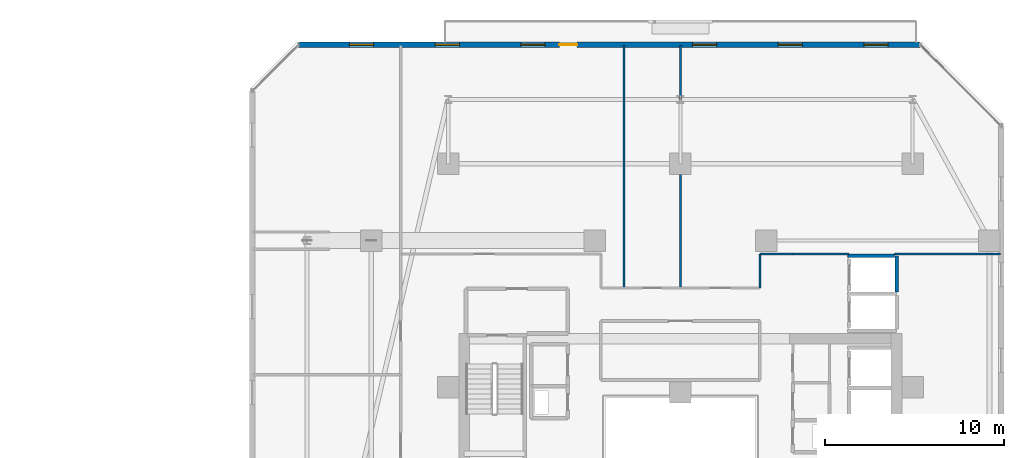
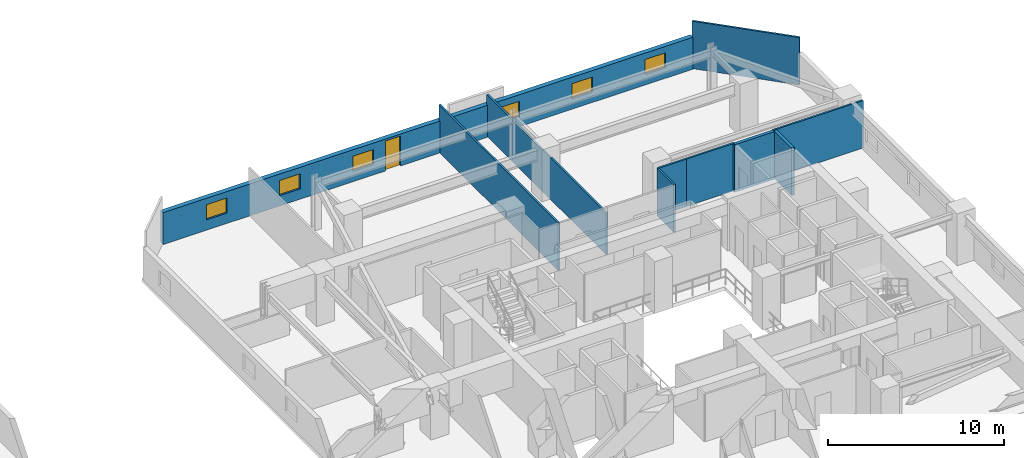
# One storey, part 29 of 36: 10 walls, 6 windows, 1 door, 7 openings.
"""IFC4 building model written with IfcOpenShell, lengths in metres."""

from ifc_helpers import new_model, si_unit, direction, frame, frame_2d, origin, place, context, subcontext, project, spatial, rectangle, extrude, material, layer, layer_set, type_object, element, fill, save


model = new_model("IFC4")

# Units and contexts
model_context = context("Model", 3, precision=1e-05, world=origin(), true_north=direction((0.0, 1.0)))
body_context = subcontext(model_context, "Body", "Model", "MODEL_VIEW")
ifc_project = project(units=[si_unit("LENGTHUNIT", "METRE"), si_unit("AREAUNIT", "SQUARE_METRE"), si_unit("VOLUMEUNIT", "CUBIC_METRE"), si_unit("PLANEANGLEUNIT", "RADIAN"), si_unit("MASSUNIT", "GRAM", prefix="KILO")], contexts=[model_context])

# Site, building, storey
site_placement = place(None, origin())
site = spatial("IfcSite", under=ifc_project, at=site_placement, CompositionType="ELEMENT")
building_placement = place(site_placement, origin())
building = spatial("IfcBuilding", under=site, at=building_placement, Name="Thornwick Lancets Civic Towers", CompositionType="ELEMENT")
storey_placement = place(building_placement, frame((0.0, 0.0, 94.5)))
storey = spatial("IfcBuildingStorey", under=building, at=storey_placement, Name="L24", CompositionType="ELEMENT", Elevation=94.5)

# Walls
ifc_material_1 = material(Name="Concrete blockwork C40/50", Category="masonry")
ifc_layer_1 = layer(ifc_material_1, 0.199951171875, Name="Concrete blockwork C40/50")
ifc_layer_set_1 = layer_set([ifc_layer_1], Name="Concrete blockwork C40/50")
wall_type_1 = type_object("IfcWallType", Name="WALL_COMP_200", PredefinedType="STANDARD", material=ifc_layer_set_1)
wall_1_placement = place(storey_placement, frame((100.60009765625, 37.132080078125, 0.0), z_axis=(0.0, 0.0, 1.0), x_axis=(0.0, 1.0, 0.0)))
element("IfcWall", 1, at=wall_1_placement, inside=storey, type_object=wall_type_1, Name="L24 Hoistway Shaft Wall PL-BL2 E", PredefinedType="STANDARD", context=body_context, shape_type="SweptSolid", body=[
    extrude(rectangle(XDim=2.015869140625, YDim=0.199951171875, at=frame_2d((1.0078125, 0.0))), origin(), (0.0, 0.0, 1.0), 3.300048828125),
])
wall_2_placement = place(storey_placement, frame((97.85205078125, 39.14990234375, 0.0), z_axis=(0.0, 0.0, 1.0), x_axis=(1.0, 0.0, 0.0)))
element("IfcWall", 2, at=wall_2_placement, inside=storey, type_object=wall_type_1, Name="L24 Hoistway Shaft Wall PL-BL3 N", PredefinedType="STANDARD", context=body_context, shape_type="SweptSolid", body=[
    extrude(rectangle(XDim=2.635986328125, YDim=0.199951171875, at=frame_2d((1.31787109375, 0.0))), origin(), (0.0, 0.0, 1.0), 3.300048828125),
])

# Wall, openings, door, windows
ifc_material_2 = material(Name="Insulated russet terracotta rainscreen on concrete C40/50", Category="masonry")
ifc_layer_2 = layer(ifc_material_2, 0.300048828125, Name="Insulated russet terracotta rainscreen on concrete C40/50")
ifc_layer_set_2 = layer_set([ifc_layer_2], Name="Insulated russet terracotta rainscreen on concrete C40/50")
wall_type_2 = type_object("IfcWallType", Name="WALL_EXT_RUSSET_300", PredefinedType="STANDARD", material=ifc_layer_set_2)
wall_3_placement = place(storey_placement, frame((101.925048828125, 50.958251953125, 0.0), z_axis=(0.0, 0.0, 1.0), x_axis=(-0.999999983371, 0.000182370391, 0.0)))
wall_3 = element("IfcWall", 3, at=wall_3_placement, inside=storey, type_object=wall_type_2, Name="L24 Tower B Terracotta Facade Wall E4", PredefinedType="STANDARD", context=body_context, shape_type="SweptSolid", body=[
    extrude(rectangle(XDim=34.806396484375, YDim=0.300048828125, at=frame_2d((17.4033203125, 0.0))), origin(), (0.0, 0.0, 1.0), 2.219970703125),
])
opening_1_placement = place(wall_3_placement, frame((19.203125, 0.0, 0.0)))
opening_1 = element("IfcOpeningElement", 4, at=opening_1_placement, cuts=wall_3, Name="Opening D-BL-L24-BN", PredefinedType="OPENING", context=body_context, shape_type="SweptSolid", body=[
    extrude(rectangle(XDim=1.0, YDim=2.080078125, at=frame_2d((0.5, 1.0400390625))), frame((0.0, 0.16015625, 0.0), z_axis=(0.0, -1.0, 0.0), x_axis=(1.0, 0.0, 0.0)), (0.0, 0.0, 1.0), 0.320068359375),
])
opening_2_placement = place(wall_3_placement, frame((1.800048828125, 0.0, 0.719970703125)))
opening_2 = element("IfcOpeningElement", 5, at=opening_2_placement, cuts=wall_3, Name="Opening WL-03", PredefinedType="OPENING", context=body_context, shape_type="SweptSolid", body=[
    extrude(rectangle(XDim=1.35009765625, YDim=1.050048828125, at=frame_2d((0.675048828125, 0.52490234375))), frame((0.0, 0.16015625, 0.0), z_axis=(0.0, -1.0, 0.0), x_axis=(1.0, 0.0, 0.0)), (0.0, 0.0, 1.0), 0.320068359375),
])
opening_3_placement = place(wall_3_placement, frame((6.60009765625, 0.0, 0.719970703125)))
opening_3 = element("IfcOpeningElement", 6, at=opening_3_placement, cuts=wall_3, Name="Opening WL-03", PredefinedType="OPENING", context=body_context, shape_type="SweptSolid", body=[
    extrude(rectangle(XDim=1.35009765625, YDim=1.050048828125, at=frame_2d((0.675048828125, 0.52490234375))), frame((0.0, 0.16015625, 0.0), z_axis=(0.0, -1.0, 0.0), x_axis=(1.0, 0.0, 0.0)), (0.0, 0.0, 1.0), 0.320068359375),
])
opening_4_placement = place(wall_3_placement, frame((11.39990234375, 0.0, 0.719970703125)))
opening_4 = element("IfcOpeningElement", 7, at=opening_4_placement, cuts=wall_3, Name="Opening WL-03", PredefinedType="OPENING", context=body_context, shape_type="SweptSolid", body=[
    extrude(rectangle(XDim=1.35009765625, YDim=1.050048828125, at=frame_2d((0.675048828125, 0.52490234375))), frame((0.0, 0.16015625, 0.0), z_axis=(0.0, -1.0, 0.0), x_axis=(1.0, 0.0, 0.0)), (0.0, 0.0, 1.0), 0.320068359375),
])
opening_5_placement = place(wall_3_placement, frame((21.0, 0.0, 0.719970703125)))
opening_5 = element("IfcOpeningElement", 8, at=opening_5_placement, cuts=wall_3, Name="Opening WL-03", PredefinedType="OPENING", context=body_context, shape_type="SweptSolid", body=[
    extrude(rectangle(XDim=1.35009765625, YDim=1.050048828125, at=frame_2d((0.675048828125, 0.52490234375))), frame((0.0, 0.16015625, 0.0), z_axis=(0.0, -1.0, 0.0), x_axis=(1.0, 0.0, 0.0)), (0.0, 0.0, 1.0), 0.320068359375),
])
opening_6_placement = place(wall_3_placement, frame((25.800048828125, 0.0, 0.719970703125)))
opening_6 = element("IfcOpeningElement", 9, at=opening_6_placement, cuts=wall_3, Name="Opening WL-03", PredefinedType="OPENING", context=body_context, shape_type="SweptSolid", body=[
    extrude(rectangle(XDim=1.35009765625, YDim=1.050048828125, at=frame_2d((0.675048828125, 0.52490234375))), frame((0.0, 0.16015625, 0.0), z_axis=(0.0, -1.0, 0.0), x_axis=(1.0, 0.0, 0.0)), (0.0, 0.0, 1.0), 0.320068359375),
])
opening_7_placement = place(wall_3_placement, frame((30.60009765625, 0.0, 0.719970703125)))
opening_7 = element("IfcOpeningElement", 10, at=opening_7_placement, cuts=wall_3, Name="Opening WL-03", PredefinedType="OPENING", context=body_context, shape_type="SweptSolid", body=[
    extrude(rectangle(XDim=1.35009765625, YDim=1.050048828125, at=frame_2d((0.675048828125, 0.52490234375))), frame((0.0, 0.16015625, 0.0), z_axis=(0.0, -1.0, 0.0), x_axis=(1.0, 0.0, 0.0)), (0.0, 0.0, 1.0), 0.320068359375),
])
ifc_material_3 = material(Name="Thermally broken glazed loggia doorset")
door_type = type_object("IfcDoorType", Name="DOOR_BALC_1000", OperationType="NOTDEFINED", PredefinedType="DOOR", material=ifc_material_3)
door_placement = place(opening_1_placement, origin())
door = element("IfcDoor", 11, at=door_placement, inside=storey, type_object=door_type, Name="L24 Tower B Loggia Balcony Door N", OperationType="SINGLE_SWING_LEFT", OverallHeight=2.080078125, OverallWidth=1.0, PredefinedType="DOOR", context=body_context, shape_type="SweptSolid", body=[
    extrude(rectangle(XDim=1.0, YDim=2.080078125, at=frame_2d((0.5, 1.0400390625))), frame((0.0, 0.02490234375, 0.0), z_axis=(0.0, -1.0, 0.0), x_axis=(1.0, 0.0, 0.0)), (0.0, 0.0, 1.0), 0.050048828125),
])
fill(opening_1, door)
ifc_material_4 = material(Name="Clear low-e double glazing clerestory lancet", Category="glass")
window_type = type_object("IfcWindowType", Name="WIN_LANCET_1350", PartitioningType="SINGLE_PANEL", PredefinedType="WINDOW", material=ifc_material_4)
window_1_placement = place(opening_2_placement, origin())
window_1 = element("IfcWindow", 12, at=window_1_placement, inside=storey, type_object=window_type, Name="L24 Tower B Staggered Lancet Window E4-1", OverallHeight=1.050048828125, OverallWidth=1.35009765625, PartitioningType="SINGLE_PANEL", PredefinedType="WINDOW", context=body_context, shape_type="SweptSolid", body=[
    extrude(rectangle(XDim=1.35009765625, YDim=1.050048828125, at=frame_2d((0.675048828125, 0.52490234375))), frame((0.0, 0.030029296875, 0.0), z_axis=(0.0, -1.0, 0.0), x_axis=(1.0, 0.0, 0.0)), (0.0, 0.0, 1.0), 0.06005859375),
])
fill(opening_2, window_1)
window_2_placement = place(opening_3_placement, origin())
window_2 = element("IfcWindow", 13, at=window_2_placement, inside=storey, type_object=window_type, Name="L24 Tower B Staggered Lancet Window E4-2", OverallHeight=1.050048828125, OverallWidth=1.35009765625, PartitioningType="SINGLE_PANEL", PredefinedType="WINDOW", context=body_context, shape_type="SweptSolid", body=[
    extrude(rectangle(XDim=1.35009765625, YDim=1.050048828125, at=frame_2d((0.675048828125, 0.52490234375))), frame((0.0, 0.030029296875, 0.0), z_axis=(0.0, -1.0, 0.0), x_axis=(1.0, 0.0, 0.0)), (0.0, 0.0, 1.0), 0.06005859375),
])
fill(opening_3, window_2)
window_3_placement = place(opening_4_placement, origin())
window_3 = element("IfcWindow", 14, at=window_3_placement, inside=storey, type_object=window_type, Name="L24 Tower B Staggered Lancet Window E4-3", OverallHeight=1.050048828125, OverallWidth=1.35009765625, PartitioningType="SINGLE_PANEL", PredefinedType="WINDOW", context=body_context, shape_type="SweptSolid", body=[
    extrude(rectangle(XDim=1.35009765625, YDim=1.050048828125, at=frame_2d((0.675048828125, 0.52490234375))), frame((0.0, 0.030029296875, 0.0), z_axis=(0.0, -1.0, 0.0), x_axis=(1.0, 0.0, 0.0)), (0.0, 0.0, 1.0), 0.06005859375),
])
fill(opening_4, window_3)
window_4_placement = place(opening_5_placement, origin())
window_4 = element("IfcWindow", 15, at=window_4_placement, inside=storey, type_object=window_type, Name="L24 Tower B Staggered Lancet Window E4-4", OverallHeight=1.050048828125, OverallWidth=1.35009765625, PartitioningType="SINGLE_PANEL", PredefinedType="WINDOW", context=body_context, shape_type="SweptSolid", body=[
    extrude(rectangle(XDim=1.35009765625, YDim=1.050048828125, at=frame_2d((0.675048828125, 0.52490234375))), frame((0.0, 0.030029296875, 0.0), z_axis=(0.0, -1.0, 0.0), x_axis=(1.0, 0.0, 0.0)), (0.0, 0.0, 1.0), 0.06005859375),
])
fill(opening_5, window_4)
window_5_placement = place(opening_6_placement, origin())
window_5 = element("IfcWindow", 16, at=window_5_placement, inside=storey, type_object=window_type, Name="L24 Tower B Staggered Lancet Window E4-5", OverallHeight=1.050048828125, OverallWidth=1.35009765625, PartitioningType="SINGLE_PANEL", PredefinedType="WINDOW", context=body_context, shape_type="SweptSolid", body=[
    extrude(rectangle(XDim=1.35009765625, YDim=1.050048828125, at=frame_2d((0.675048828125, 0.52490234375))), frame((0.0, 0.030029296875, 0.0), z_axis=(0.0, -1.0, 0.0), x_axis=(1.0, 0.0, 0.0)), (0.0, 0.0, 1.0), 0.06005859375),
])
fill(opening_6, window_5)
window_6_placement = place(opening_7_placement, origin())
window_6 = element("IfcWindow", 17, at=window_6_placement, inside=storey, type_object=window_type, Name="L24 Tower B Staggered Lancet Window E4-6", OverallHeight=1.050048828125, OverallWidth=1.35009765625, PartitioningType="SINGLE_PANEL", PredefinedType="WINDOW", context=body_context, shape_type="SweptSolid", body=[
    extrude(rectangle(XDim=1.35009765625, YDim=1.050048828125, at=frame_2d((0.675048828125, 0.52490234375))), frame((0.0, 0.030029296875, 0.0), z_axis=(0.0, -1.0, 0.0), x_axis=(1.0, 0.0, 0.0)), (0.0, 0.0, 1.0), 0.06005859375),
])
fill(opening_7, window_6)

# Walls
ifc_material_5 = material(Name="Acoustic gypsum board partition")
ifc_layer_3 = layer(ifc_material_5, 0.1201171875, Name="Acoustic gypsum board partition")
ifc_layer_set_3 = layer_set([ifc_layer_3], Name="Acoustic gypsum board partition")
wall_type_3 = type_object("IfcWallType", Name="WALL_PART_120", PredefinedType="PARTITIONING", material=ifc_layer_set_3)
wall_4_placement = place(storey_placement, frame((106.419921875, 39.25, 0.0), z_axis=(0.0, 0.0, 1.0), x_axis=(-1.0, 0.0, 0.0)))
element("IfcWall", 18, at=wall_4_placement, inside=storey, type_object=wall_type_3, Name="L24 Partition L24-B-E1 E2", PredefinedType="PARTITIONING", context=body_context, shape_type="SweptSolid", body=[
    extrude(rectangle(XDim=5.931884765625, YDim=0.1201171875, at=frame_2d((2.9658203125, 0.0))), origin(), (0.0, 0.0, 1.0), 3.300048828125),
])
wall_5_placement = place(storey_placement, frame((97.949951171875, 39.25, 0.0), z_axis=(0.0, 0.0, 1.0), x_axis=(-1.0, 0.0, 0.0)))
element("IfcWall", 19, at=wall_5_placement, inside=storey, type_object=wall_type_3, Name="L24 Partition L24-B-E1 E3", PredefinedType="PARTITIONING", context=body_context, shape_type="SweptSolid", body=[
    extrude(rectangle(XDim=3.14990234375, YDim=0.1201171875, at=frame_2d((1.574951171875, 0.0))), origin(), (0.0, 0.0, 1.0), 3.300048828125),
])
wall_6_placement = place(storey_placement, frame((94.800048828125, 39.25, 0.0), z_axis=(0.0, 0.0, 1.0), x_axis=(-1.0, 0.0, 0.0)))
element("IfcWall", 20, at=wall_6_placement, inside=storey, type_object=wall_type_3, Name="L24 Partition L24-B-E1 E4", PredefinedType="PARTITIONING", context=body_context, shape_type="SweptSolid", body=[
    extrude(rectangle(XDim=1.85009765625, YDim=0.1201171875, at=frame_2d((0.925048828125, 0.0))), origin(), (0.0, 0.0, 1.0), 3.300048828125),
])
wall_7_placement = place(storey_placement, frame((92.949951171875, 39.25, 0.0), z_axis=(0.0, 0.0, 1.0), x_axis=(0.0, -1.0, 0.0)))
element("IfcWall", 21, at=wall_7_placement, inside=storey, type_object=wall_type_3, Name="L24 Partition L24-B-E1 E5", PredefinedType="PARTITIONING", context=body_context, shape_type="SweptSolid", body=[
    extrude(rectangle(XDim=1.89990234375, YDim=0.1201171875, at=frame_2d((0.949951171875, 0.0))), origin(), (0.0, 0.0, 1.0), 3.300048828125),
])
wall_8_placement = place(storey_placement, frame((88.5, 37.35009765625, 0.0), z_axis=(0.0, 0.0, 1.0), x_axis=(0.0, 1.0, 0.0)))
element("IfcWall", 22, at=wall_8_placement, inside=storey, type_object=wall_type_3, Name="L24 Partition L24-B-E1 E7", PredefinedType="PARTITIONING", context=body_context, shape_type="SweptSolid", body=[
    extrude(rectangle(XDim=13.56982421875, YDim=0.1201171875, at=frame_2d((6.784912109375, 0.0))), origin(), (0.0, 0.0, 1.0), 2.89208984375),
])
wall_9_placement = place(storey_placement, frame((101.96142578125, 50.919921875, 0.0), z_axis=(0.0, 0.0, 1.0), x_axis=(0.707106781187, -0.707106781187, 0.0)))
element("IfcWall", 23, at=wall_9_placement, inside=storey, type_object=wall_type_3, Name="L24 Partition L24-B-E1 E9", PredefinedType="PARTITIONING", context=body_context, shape_type="SweptSolid", body=[
    extrude(rectangle(XDim=6.30517578125, YDim=0.1201171875, at=frame_2d((3.152587890625, 0.0))), origin(), (0.0, 0.0, 1.0), 3.300048828125),
])
wall_10_placement = place(storey_placement, frame((85.35009765625, 37.35009765625, 0.0), z_axis=(0.0, 0.0, 1.0), x_axis=(0.0, 1.0, 0.0)))
element("IfcWall", 24, at=wall_10_placement, inside=storey, type_object=wall_type_3, Name="L24 Partition L24-B-E2 E1", PredefinedType="PARTITIONING", context=body_context, shape_type="SweptSolid", body=[
    extrude(rectangle(XDim=13.56982421875, YDim=0.1201171875, at=frame_2d((6.784912109375, 0.0))), origin(), (0.0, 0.0, 1.0), 3.300048828125),
])

save(model, "model.ifc")
